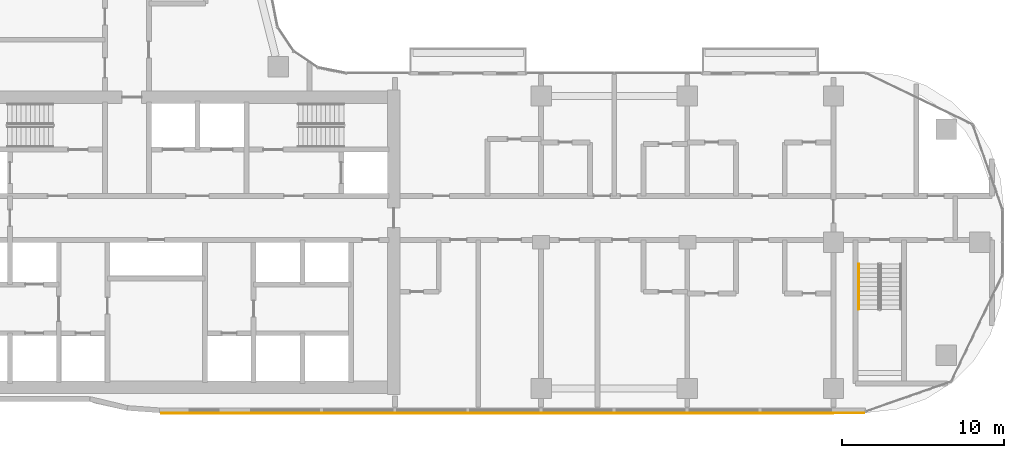
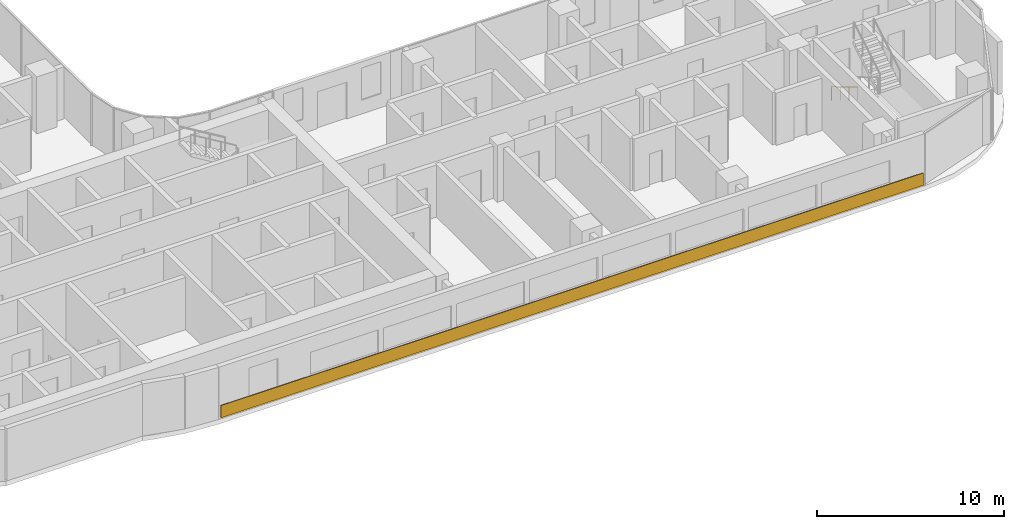
# One storey, part 18 of 21: 1 covering, 1 railing.
"""IFC4 building model written with IfcOpenShell, lengths in metres."""

from ifc_helpers import new_model, si_unit, direction, frame, origin, origin_2d, place, context, subcontext, project, spatial, rectangle, circle, extrude, material, layer, layer_set, type_object, element, save


model = new_model("IFC4")

# Units and contexts
model_context = context("Model", 3, precision=1e-05, world=origin(), true_north=direction((0.0, 1.0)))
body_context = subcontext(model_context, "Body", "Model", "MODEL_VIEW")
ifc_project = project(units=[si_unit("LENGTHUNIT", "METRE"), si_unit("AREAUNIT", "SQUARE_METRE"), si_unit("VOLUMEUNIT", "CUBIC_METRE"), si_unit("PLANEANGLEUNIT", "RADIAN"), si_unit("MASSUNIT", "GRAM", prefix="KILO")], contexts=[model_context])

# Site, building, storey
site_placement = place(None, origin())
site = spatial("IfcSite", under=ifc_project, at=site_placement, CompositionType="ELEMENT")
building_placement = place(site_placement, origin())
building = spatial("IfcBuilding", under=site, at=building_placement, Name="Ogive Portal Towers", CompositionType="ELEMENT")
storey_placement = place(building_placement, frame((0.0, 0.0, 109.300048828125)))
storey = spatial("IfcBuildingStorey", under=building, at=storey_placement, Name="L26", CompositionType="ELEMENT", Elevation=109.300048828125)

# Railing
ifc_material_1 = material(Name="Stainless steel handrail", Category="steel")
railing_type = type_object("IfcRailingType", Name="INT-HANDRAIL", PredefinedType="HANDRAIL", material=ifc_material_1)
railing_placement = place(storey_placement, frame((87.050048828125, 29.169921875, 0.168212890625)))
element("IfcRailing", 1, at=railing_placement, inside=storey, type_object=railing_type, Name="L26 ST-A4 stair handrail 1", PredefinedType="HANDRAIL", context=body_context, shape_type="SweptSolid", body=[
    extrude(circle(Radius=0.02392578125, at=origin_2d()), frame((0.0, 0.0, 0.8759765625), z_axis=(0.0, -0.857255387014, 0.514891446264), x_axis=(1.0, 0.0, 0.0)), (0.0, 0.0, 1.0), 3.26611328125),
    extrude(circle(Radius=0.02099609375, at=origin_2d()), origin(), (0.0, 0.0, 1.0), 0.851806640625),
    extrude(circle(Radius=0.02099609375, at=origin_2d()), frame((0.0, -0.933349609375, 0.560546875)), (0.0, 0.0, 1.0), 0.851806640625),
    extrude(circle(Radius=0.02099609375, at=origin_2d()), frame((0.0, -1.866455078125, 1.12109375)), (0.0, 0.0, 1.0), 0.851806640625),
    extrude(circle(Radius=0.02099609375, at=origin_2d()), frame((0.0, -2.7998046875, 1.681640625)), (0.0, 0.0, 1.0), 0.851806640625),
])

# Covering
ifc_material_2 = material(Name="Limestone cladding on lightweight block wall", Category="masonry")
ifc_layer = layer(ifc_material_2, 0.050048828125)
ifc_layer_set = layer_set([ifc_layer], Name="SCREEN PERFORATED STONE")
covering_type = type_object("IfcCoveringType", Name="SCREEN PERFORATED STONE", PredefinedType="CLADDING", material=ifc_layer_set)
covering_placement = place(storey_placement, frame((65.74853515625, 19.97509765625, 0.10009765625), z_axis=(0.0, 0.0, 1.0), x_axis=(1.0, 0.0, 0.0)))
element("IfcCovering", 2, at=covering_placement, inside=storey, type_object=covering_type, Name="Tracery screen", PredefinedType="CLADDING", context=body_context, shape_type="SweptSolid", body=[
    extrude(rectangle(XDim=43.275634765625, YDim=0.050048828125, at=origin_2d()), origin(), (0.0, 0.0, 1.0), 0.800048828125),
])

save(model, "model.ifc")
